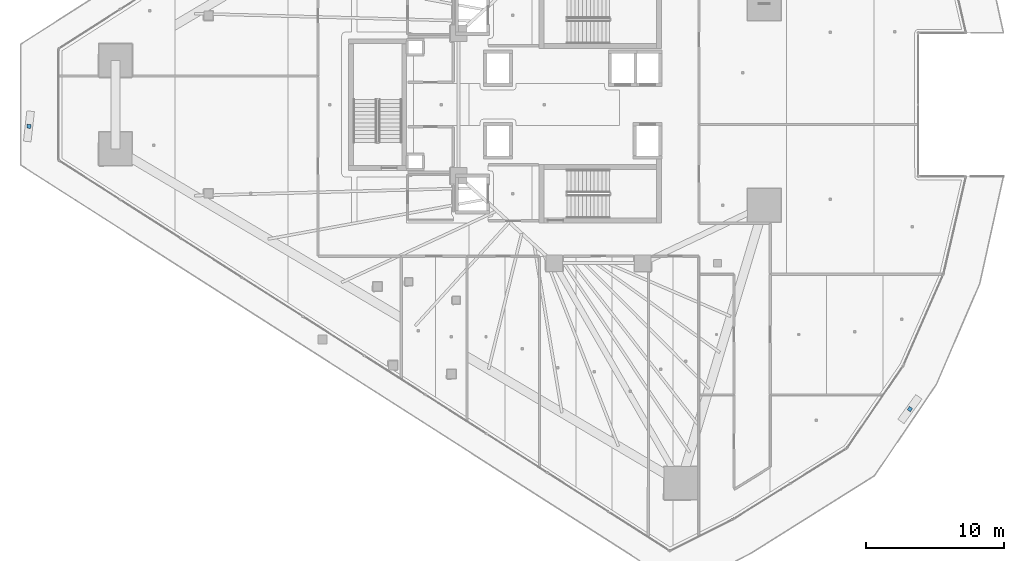
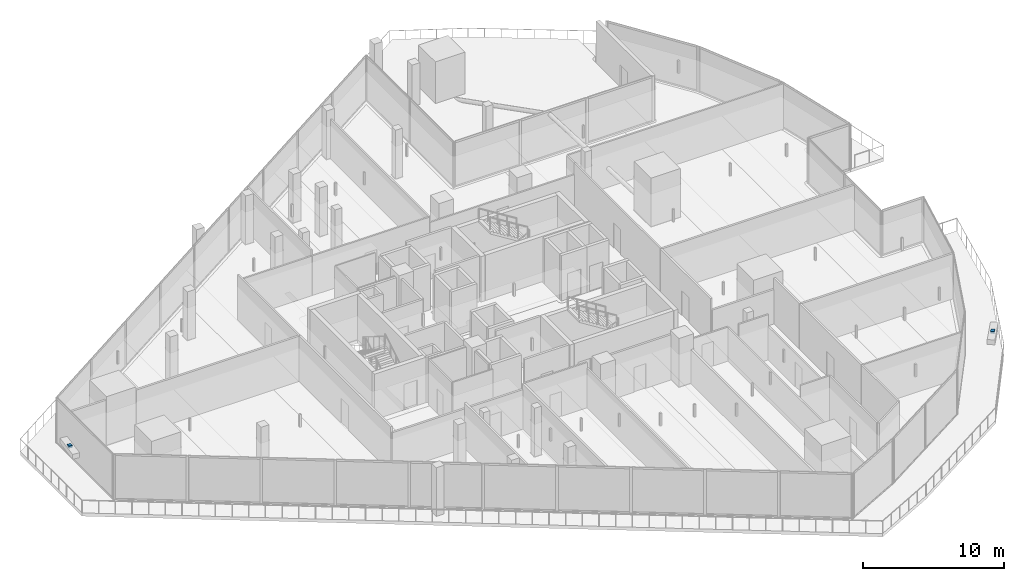
# One storey, part 35 of 44: 2 discrete accessories.
"""IFC4 building model written with IfcOpenShell, lengths in metres."""

from ifc_helpers import new_model, si_unit, direction, frame, origin, origin_2d, place, context, subcontext, project, spatial, rectangle, extrude, material, type_object, element, save


model = new_model("IFC4")

# Units and contexts
model_context = context("Model", 3, precision=1e-05, world=origin(), true_north=direction((0.0, 1.0)))
body_context = subcontext(model_context, "Body", "Model", "MODEL_VIEW")
ifc_project = project(units=[si_unit("LENGTHUNIT", "METRE"), si_unit("AREAUNIT", "SQUARE_METRE"), si_unit("VOLUMEUNIT", "CUBIC_METRE"), si_unit("PLANEANGLEUNIT", "RADIAN"), si_unit("MASSUNIT", "GRAM", prefix="KILO")], contexts=[model_context])

# Site, building, storey
site_placement = place(None, origin())
site = spatial("IfcSite", under=ifc_project, at=site_placement, CompositionType="ELEMENT")
building_placement = place(site_placement, origin())
building = spatial("IfcBuilding", under=site, at=building_placement, Name="Qorvath Tower", CompositionType="ELEMENT")
storey_placement = place(building_placement, frame((0.0, 0.0, 78.60009765625)))
storey = spatial("IfcBuildingStorey", under=building, at=storey_placement, Name="L17", CompositionType="ELEMENT", Elevation=78.60009765625)

# Discrete accessories
ifc_material = material(Name="Galvanised steel bracket", Category="steel")
discrete_accessory_type = type_object("IfcDiscreteAccessoryType", Name="DA-BRACKET", PredefinedType="BRACKET", material=ifc_material)
for number, where, z_axis, x_axis, name in (
    (1, (-61.537841796875, -1.571044921875, 3.77978515625), (0.0, 0.0, 1.0), (-0.109463679923, -0.993990796123, 0.0), "Louvre Wave Support Bracket L17-01"),
    (2, (2.094482421875, -21.99462890625, 3.77978515625), (0.0, 0.0, 1.0), (0.588815535685, 0.808267446416, 0.0), "Louvre Wave Support Bracket L17-02"),
):
    element("IfcDiscreteAccessory", number, at=place(storey_placement, frame(where, z_axis=z_axis, x_axis=x_axis)), inside=storey, type_object=discrete_accessory_type, Name=name, PredefinedType="NOTDEFINED", context=body_context, shape_type="SweptSolid", body=[
        extrude(rectangle(XDim=0.280029296875, YDim=0.280029296875, at=origin_2d()), origin(), (0.0, 0.0, 1.0), 0.199951171875),
    ])

save(model, "model.ifc")
